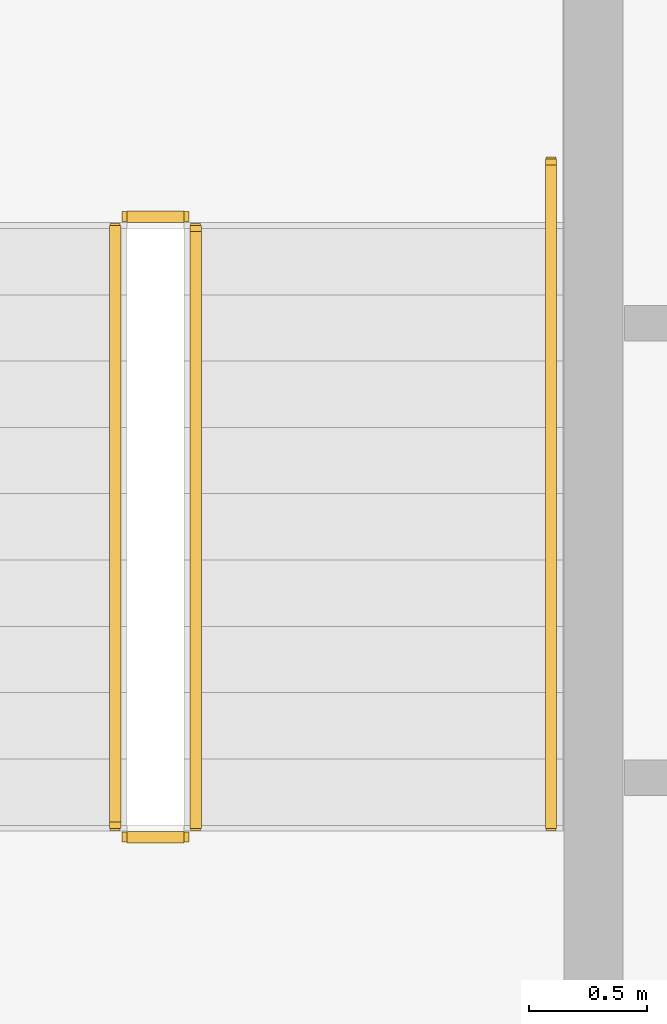
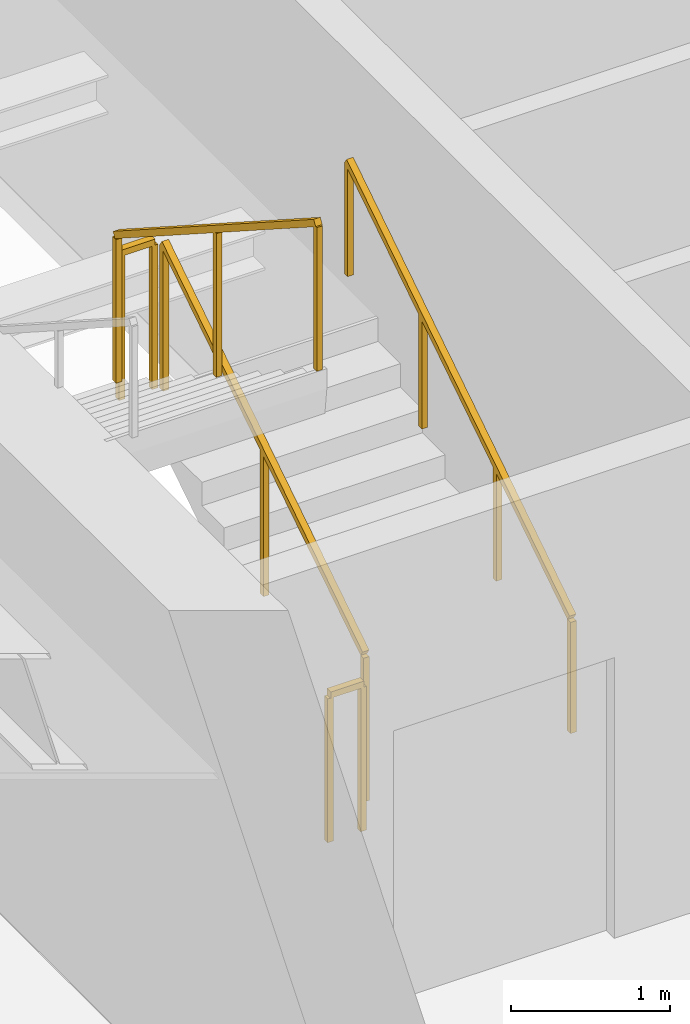
# One storey, part 25 of 28: 5 railings.
"""IFC4 building model written with IfcOpenShell, lengths in metres."""

from ifc_helpers import new_model, si_unit, direction, frame, origin, origin_2d, place, context, subcontext, project, spatial, rectangle, extrude, material, type_object, element, save


model = new_model("IFC4")

# Units and contexts
model_context = context("Model", 3, precision=1e-05, world=origin(), true_north=direction((0.0, 1.0)))
body_context = subcontext(model_context, "Body", "Model", "MODEL_VIEW")
ifc_project = project(units=[si_unit("LENGTHUNIT", "METRE"), si_unit("AREAUNIT", "SQUARE_METRE"), si_unit("VOLUMEUNIT", "CUBIC_METRE"), si_unit("PLANEANGLEUNIT", "RADIAN"), si_unit("MASSUNIT", "GRAM", prefix="KILO")], contexts=[model_context])

# Site, building, storey
site_placement = place(None, origin())
site = spatial("IfcSite", under=ifc_project, at=site_placement, CompositionType="ELEMENT")
building_placement = place(site_placement, origin())
building = spatial("IfcBuilding", under=site, at=building_placement, Name="Sumidabori Civic Tower", CompositionType="ELEMENT")
storey_placement = place(building_placement, frame((0.0, 0.0, 149.60009765625)))
storey = spatial("IfcBuildingStorey", under=building, at=storey_placement, Name="L38", CompositionType="ELEMENT", Elevation=149.60009765625)

# Railings
ifc_material_1 = material(Name="Stainless Steel Hairline Finish", Category="steel")
railing_type_1 = type_object("IfcRailingType", Name="RL-HANDRAIL", PredefinedType="HANDRAIL", material=ifc_material_1)
railing_1_placement = place(storey_placement, frame((-11.949951171875, 16.0, 0.179931640625)))
element("IfcRailing", 1, at=railing_1_placement, inside=storey, type_object=railing_type_1, Name="L38 ST-1 stair handrail 1", PredefinedType="HANDRAIL", context=body_context, shape_type="SweptSolid", body=[
    extrude(rectangle(XDim=0.048095703125, YDim=0.048095703125, at=origin_2d()), frame((0.0, 0.0, 0.8759765625), z_axis=(0.0, 0.840675598268, 0.541539046124), x_axis=(-1.0, 0.0, 0.0)), (0.0, 0.0, 1.0), 3.330810546875),
    extrude(rectangle(XDim=0.0419921875, YDim=0.0419921875, at=origin_2d()), origin(), (0.0, 0.0, 1.0), 0.851806640625),
    extrude(rectangle(XDim=0.0419921875, YDim=0.0419921875, at=origin_2d()), frame((0.0, 0.933349609375, 0.601318359375)), (0.0, 0.0, 1.0), 0.851806640625),
    extrude(rectangle(XDim=0.0419921875, YDim=0.0419921875, at=origin_2d()), frame((0.0, 1.86669921875, 1.202392578125)), (0.0, 0.0, 1.0), 0.851806640625),
    extrude(rectangle(XDim=0.0419921875, YDim=0.0419921875, at=origin_2d()), frame((0.0, 2.800048828125, 1.8037109375)), (0.0, 0.0, 1.0), 0.851806640625),
])
ifc_material_2 = material(Name="Steel SN490", Category="steel")
railing_type_2 = type_object("IfcRailingType", Name="RL-STAIR-GUARD", PredefinedType="GUARDRAIL", material=ifc_material_2)
railing_2_placement = place(storey_placement, frame((-13.449951171875, 16.0, 0.179931640625)))
element("IfcRailing", 2, at=railing_2_placement, inside=storey, type_object=railing_type_2, Name="L38 ST-1 stair guard 1", PredefinedType="GUARDRAIL", context=body_context, shape_type="SweptSolid", body=[
    extrude(rectangle(XDim=0.048095703125, YDim=0.048095703125, at=origin_2d()), frame((0.0, 0.0, 1.1259765625), z_axis=(0.0, 0.841199657755, 0.540724639528), x_axis=(-1.0, 0.0, 0.0)), (0.0, 0.0, 1.0), 2.995849609375),
    extrude(rectangle(XDim=0.0419921875, YDim=0.0419921875, at=origin_2d()), origin(), (0.0, 0.0, 1.0), 1.101806640625),
    extrude(rectangle(XDim=0.0419921875, YDim=0.0419921875, at=origin_2d()), frame((0.0, 1.260009765625, 0.81005859375)), (0.0, 0.0, 1.0), 1.101806640625),
    extrude(rectangle(XDim=0.0419921875, YDim=0.0419921875, at=origin_2d()), frame((0.0, 2.52001953125, 1.619873046875)), (0.0, 0.0, 1.0), 1.101806640625),
])
railing_3_placement = place(storey_placement, frame((-13.5, 18.570068359375, 1.7998046875)))
element("IfcRailing", 3, at=railing_3_placement, inside=storey, type_object=railing_type_2, Name="L38 ST-1 stair guard 2", PredefinedType="GUARDRAIL", context=body_context, shape_type="SweptSolid", body=[
    extrude(rectangle(XDim=0.048095703125, YDim=0.048095703125, at=origin_2d()), frame((0.0, 0.0, 1.1259765625), z_axis=(-1.0, 0.0, 0.0), x_axis=(0.0, -1.0, 0.0)), (0.0, 0.0, 1.0), 0.239990234375),
    extrude(rectangle(XDim=0.0419921875, YDim=0.0419921875, at=origin_2d()), origin(), (0.0, 0.0, 1.0), 1.101806640625),
    extrude(rectangle(XDim=0.0419921875, YDim=0.0419921875, at=origin_2d()), frame((-0.239990234375, 0.0, 0.0)), (0.0, 0.0, 1.0), 1.101806640625),
])
railing_4_placement = place(storey_placement, frame((-13.7900390625, 18.52001953125, 1.97998046875)))
element("IfcRailing", 4, at=railing_4_placement, inside=storey, type_object=railing_type_2, Name="L38 ST-1 stair guard 3", PredefinedType="GUARDRAIL", context=body_context, shape_type="SweptSolid", body=[
    extrude(rectangle(XDim=0.048095703125, YDim=0.048095703125, at=origin_2d()), frame((0.0, 0.0, 1.1259765625), z_axis=(0.0, -0.841199657755, 0.540724639528), x_axis=(1.0, 0.0, 0.0)), (0.0, 0.0, 1.0), 2.995849609375),
    extrude(rectangle(XDim=0.0419921875, YDim=0.0419921875, at=origin_2d()), origin(), (0.0, 0.0, 1.0), 1.101806640625),
    extrude(rectangle(XDim=0.0419921875, YDim=0.0419921875, at=origin_2d()), frame((0.0, -1.260009765625, 0.81005859375)), (0.0, 0.0, 1.0), 1.101806640625),
    extrude(rectangle(XDim=0.0419921875, YDim=0.0419921875, at=origin_2d()), frame((0.0, -2.52001953125, 1.619873046875)), (0.0, 0.0, 1.0), 1.101806640625),
])
railing_5_placement = place(storey_placement, frame((-13.5, 15.949951171875, 0.0)))
element("IfcRailing", 5, at=railing_5_placement, inside=storey, type_object=railing_type_2, Name="L38 ST-1 stair guard 4", PredefinedType="GUARDRAIL", context=body_context, shape_type="SweptSolid", body=[
    extrude(rectangle(XDim=0.048095703125, YDim=0.048095703125, at=origin_2d()), frame((0.0, 0.0, 1.1259765625), z_axis=(-1.0, 0.0, 0.0), x_axis=(0.0, -1.0, 0.0)), (0.0, 0.0, 1.0), 0.239990234375),
    extrude(rectangle(XDim=0.0419921875, YDim=0.0419921875, at=origin_2d()), origin(), (0.0, 0.0, 1.0), 1.101806640625),
    extrude(rectangle(XDim=0.0419921875, YDim=0.0419921875, at=origin_2d()), frame((-0.239990234375, 0.0, 0.0)), (0.0, 0.0, 1.0), 1.101806640625),
])

save(model, "model.ifc")
